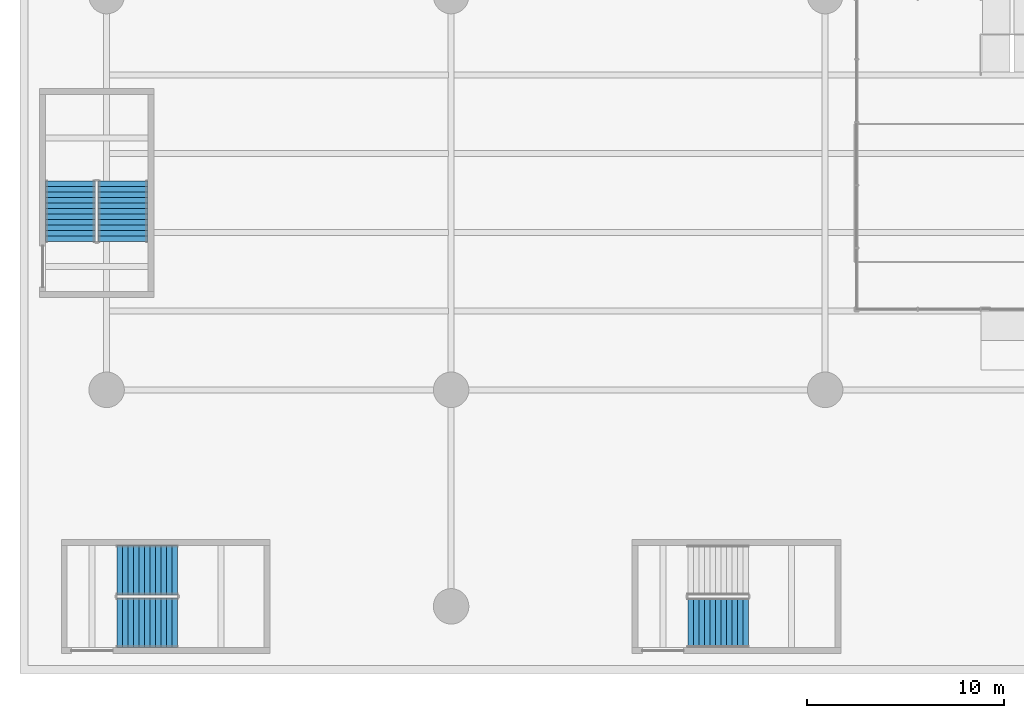
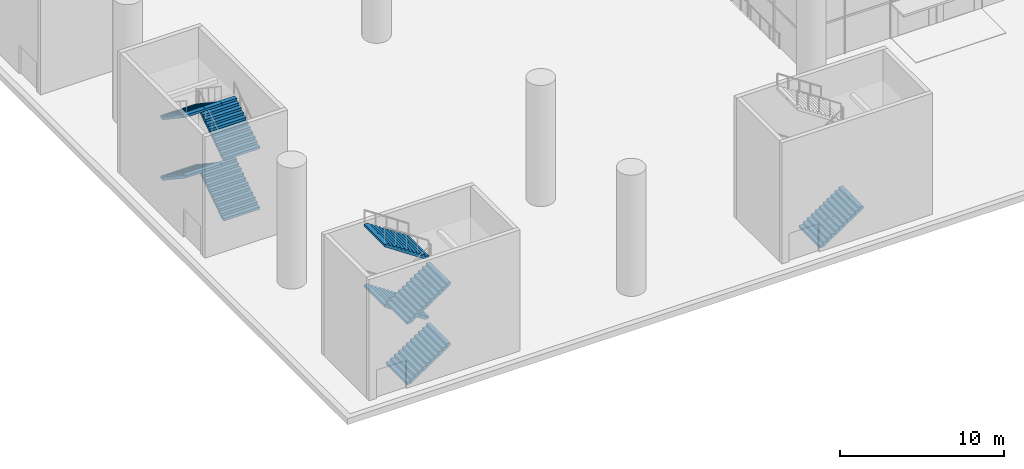
# One storey, part 21 of 37: 9 stair flights, 3 elements without a shape of their own.
"""IFC4 building model written with IfcOpenShell, lengths in metres."""

from ifc_helpers import new_model, si_unit, direction, frame, origin, place, context, subcontext, project, spatial, polyline, outline, extrude, material, type_object, element, aggregate, save


model = new_model("IFC4")

# Units and contexts
model_context = context("Model", 3, precision=1e-05, world=origin(), true_north=direction((0.0, 1.0)))
body_context = subcontext(model_context, "Body", "Model", "MODEL_VIEW")
ifc_project = project(units=[si_unit("LENGTHUNIT", "METRE"), si_unit("AREAUNIT", "SQUARE_METRE"), si_unit("VOLUMEUNIT", "CUBIC_METRE"), si_unit("PLANEANGLEUNIT", "RADIAN"), si_unit("MASSUNIT", "GRAM", prefix="KILO")], contexts=[model_context])

# Site, building, storey
site_placement = place(None, origin())
site = spatial("IfcSite", under=ifc_project, at=site_placement, CompositionType="ELEMENT")
building_placement = place(site_placement, origin())
building = spatial("IfcBuilding", under=site, at=building_placement, Name="Tel Ilan Convention Tower", CompositionType="ELEMENT")
storey_placement = place(building_placement, origin())
storey = spatial("IfcBuildingStorey", under=building, at=storey_placement, Name="L00", CompositionType="ELEMENT", Elevation=0.0)

# Stair, stair flights
ifc_material_1 = material(Name="Concrete C40/50", Category="concrete")
stair_type = type_object("IfcStairType", Name="Pressurised Exit Stair 48 risers 188 mm", PredefinedType="HALF_TURN_STAIR", material=ifc_material_1)
stair_1_placement = place(storey_placement, origin())
stair_1 = element("IfcStair", 1, at=stair_1_placement, inside=storey, type_object=stair_type, Name="L00 Podium Exit Stair P1", PredefinedType="HALF_TURN_STAIR")
ifc_material_2 = material(Name="Precast Concrete C40/50", Category="concrete")
stair_flight_type = type_object("IfcStairFlightType", Name="Concrete Stair Flight 2525 mm 48 risers 188 mm", PredefinedType="STRAIGHT", material=ifc_material_2)
stair_flight_1_placement = place(storey_placement, frame((-45.47509765625, -79.83740234375, 0.0), z_axis=(0.0, 0.0, 1.0), x_axis=(1.0, 0.0, 0.0)))
stair_flight_1 = element("IfcStairFlight", 2, at=stair_flight_1_placement, type_object=stair_flight_type, Name="P1 flight 1", NumberOfRisers=12, NumberOfTreads=11, PredefinedType="STRAIGHT", RiserHeight=0.1875, TreadLength=0.28, context=body_context, shape_type="SweptSolid", body=[
    extrude(outline(polyline([(0.0, 0.0), (0.0, 0.1875), (0.280029296875, 0.1875), (0.280029296875, 0.375), (0.56005859375, 0.375), (0.56005859375, 0.5625), (0.840087890625, 0.5625), (0.840087890625, 0.75), (1.1201171875, 0.75), (1.1201171875, 0.9375), (1.39990234375, 0.9375), (1.39990234375, 1.125), (1.679931640625, 1.125), (1.679931640625, 1.3125), (1.9599609375, 1.3125), (1.9599609375, 1.5), (2.239990234375, 1.5), (2.239990234375, 1.6875), (2.52001953125, 1.6875), (2.52001953125, 1.875), (2.800048828125, 1.875), (2.800048828125, 2.0625), (3.080078125, 2.0625), (3.080078125, 2.25), (3.080078125, 1.882080078125), (0.26953125, 0.0), (0.0, 0.0)])), frame((0.0, -0.100341796875, 0.0), z_axis=(0.0, -1.0, 0.0), x_axis=(1.0, 0.0, 0.0)), (0.0, 0.0, 1.0), 1.162109375),
    extrude(outline(polyline([(0.0, 0.0), (0.0, 0.1875), (0.280029296875, 0.1875), (0.280029296875, 0.375), (0.56005859375, 0.375), (0.56005859375, 0.5625), (0.840087890625, 0.5625), (0.840087890625, 0.75), (1.1201171875, 0.75), (1.1201171875, 0.9375), (1.39990234375, 0.9375), (1.39990234375, 1.125), (1.679931640625, 1.125), (1.679931640625, 1.3125), (1.9599609375, 1.3125), (1.9599609375, 1.5), (2.239990234375, 1.5), (2.239990234375, 1.6875), (2.52001953125, 1.6875), (2.52001953125, 1.875), (2.800048828125, 1.875), (2.800048828125, 2.0625), (3.080078125, 2.0625), (3.080078125, 2.25), (3.080078125, 1.882080078125), (0.26953125, 0.0), (0.0, 0.0)])), frame((0.0, -0.000244140625, 0.0), z_axis=(0.0, -1.0, 0.0), x_axis=(1.0, 0.0, 0.0)), (0.0, 0.0, 1.0), 0.099609375),
    extrude(outline(polyline([(0.0, 0.0), (0.0, 0.1875), (0.280029296875, 0.1875), (0.280029296875, 0.375), (0.56005859375, 0.375), (0.56005859375, 0.5625), (0.840087890625, 0.5625), (0.840087890625, 0.75), (1.1201171875, 0.75), (1.1201171875, 0.9375), (1.39990234375, 0.9375), (1.39990234375, 1.125), (1.679931640625, 1.125), (1.679931640625, 1.3125), (1.9599609375, 1.3125), (1.9599609375, 1.5), (2.239990234375, 1.5), (2.239990234375, 1.6875), (2.52001953125, 1.6875), (2.52001953125, 1.875), (2.800048828125, 1.875), (2.800048828125, 2.0625), (3.080078125, 2.0625), (3.080078125, 2.25), (3.080078125, 1.882080078125), (0.26953125, 0.0), (0.0, 0.0)])), frame((0.0, 0.099853515625, 0.0), z_axis=(0.0, -1.0, 0.0), x_axis=(1.0, 0.0, 0.0)), (0.0, 0.0, 1.0), 0.099609375),
    extrude(outline(polyline([(0.0, 0.0), (0.0, 0.1875), (0.280029296875, 0.1875), (0.280029296875, 0.375), (0.56005859375, 0.375), (0.56005859375, 0.5625), (0.840087890625, 0.5625), (0.840087890625, 0.75), (1.1201171875, 0.75), (1.1201171875, 0.9375), (1.39990234375, 0.9375), (1.39990234375, 1.125), (1.679931640625, 1.125), (1.679931640625, 1.3125), (1.9599609375, 1.3125), (1.9599609375, 1.5), (2.239990234375, 1.5), (2.239990234375, 1.6875), (2.52001953125, 1.6875), (2.52001953125, 1.875), (2.800048828125, 1.875), (2.800048828125, 2.0625), (3.080078125, 2.0625), (3.080078125, 2.25), (3.080078125, 1.882080078125), (0.26953125, 0.0), (0.0, 0.0)])), frame((0.0, 1.262451171875, 0.0), z_axis=(0.0, -1.0, 0.0), x_axis=(1.0, 0.0, 0.0)), (0.0, 0.0, 1.0), 1.162109375),
])
stair_flight_2_placement = place(storey_placement, frame((-42.39501953125, -77.16259765625, 2.25), z_axis=(0.0, 0.0, 1.0), x_axis=(-1.0, 0.0, 0.0)))
stair_flight_2 = element("IfcStairFlight", 3, at=stair_flight_2_placement, type_object=stair_flight_type, Name="P1 flight 2", NumberOfRisers=12, NumberOfTreads=11, PredefinedType="STRAIGHT", RiserHeight=0.1875, TreadLength=0.28, context=body_context, shape_type="SweptSolid", body=[
    extrude(outline(polyline([(0.0, 0.0), (0.0, 0.1875), (0.280029296875, 0.1875), (0.280029296875, 0.375), (0.56005859375, 0.375), (0.56005859375, 0.5625), (0.840087890625, 0.5625), (0.840087890625, 0.75), (1.1201171875, 0.75), (1.1201171875, 0.9375), (1.39990234375, 0.9375), (1.39990234375, 1.125), (1.679931640625, 1.125), (1.679931640625, 1.3125), (1.9599609375, 1.3125), (1.9599609375, 1.5), (2.239990234375, 1.5), (2.239990234375, 1.6875), (2.52001953125, 1.6875), (2.52001953125, 1.875), (2.800048828125, 1.875), (2.800048828125, 2.0625), (3.080078125, 2.0625), (3.080078125, 2.25), (3.080078125, 1.882080078125), (0.26953125, 0.0), (0.0, 0.0)])), frame((0.0, -0.100341796875, 0.0), z_axis=(0.0, -1.0, 0.0), x_axis=(1.0, 0.0, 0.0)), (0.0, 0.0, 1.0), 1.162109375),
    extrude(outline(polyline([(0.0, 0.0), (0.0, 0.1875), (0.280029296875, 0.1875), (0.280029296875, 0.375), (0.56005859375, 0.375), (0.56005859375, 0.5625), (0.840087890625, 0.5625), (0.840087890625, 0.75), (1.1201171875, 0.75), (1.1201171875, 0.9375), (1.39990234375, 0.9375), (1.39990234375, 1.125), (1.679931640625, 1.125), (1.679931640625, 1.3125), (1.9599609375, 1.3125), (1.9599609375, 1.5), (2.239990234375, 1.5), (2.239990234375, 1.6875), (2.52001953125, 1.6875), (2.52001953125, 1.875), (2.800048828125, 1.875), (2.800048828125, 2.0625), (3.080078125, 2.0625), (3.080078125, 2.25), (3.080078125, 1.882080078125), (0.26953125, 0.0), (0.0, 0.0)])), frame((0.0, -0.000244140625, 0.0), z_axis=(0.0, -1.0, 0.0), x_axis=(1.0, 0.0, 0.0)), (0.0, 0.0, 1.0), 0.099609375),
    extrude(outline(polyline([(0.0, 0.0), (0.0, 0.1875), (0.280029296875, 0.1875), (0.280029296875, 0.375), (0.56005859375, 0.375), (0.56005859375, 0.5625), (0.840087890625, 0.5625), (0.840087890625, 0.75), (1.1201171875, 0.75), (1.1201171875, 0.9375), (1.39990234375, 0.9375), (1.39990234375, 1.125), (1.679931640625, 1.125), (1.679931640625, 1.3125), (1.9599609375, 1.3125), (1.9599609375, 1.5), (2.239990234375, 1.5), (2.239990234375, 1.6875), (2.52001953125, 1.6875), (2.52001953125, 1.875), (2.800048828125, 1.875), (2.800048828125, 2.0625), (3.080078125, 2.0625), (3.080078125, 2.25), (3.080078125, 1.882080078125), (0.26953125, 0.0), (0.0, 0.0)])), frame((0.0, 0.099853515625, 0.0), z_axis=(0.0, -1.0, 0.0), x_axis=(1.0, 0.0, 0.0)), (0.0, 0.0, 1.0), 0.099609375),
    extrude(outline(polyline([(0.0, 0.0), (0.0, 0.1875), (0.280029296875, 0.1875), (0.280029296875, 0.375), (0.56005859375, 0.375), (0.56005859375, 0.5625), (0.840087890625, 0.5625), (0.840087890625, 0.75), (1.1201171875, 0.75), (1.1201171875, 0.9375), (1.39990234375, 0.9375), (1.39990234375, 1.125), (1.679931640625, 1.125), (1.679931640625, 1.3125), (1.9599609375, 1.3125), (1.9599609375, 1.5), (2.239990234375, 1.5), (2.239990234375, 1.6875), (2.52001953125, 1.6875), (2.52001953125, 1.875), (2.800048828125, 1.875), (2.800048828125, 2.0625), (3.080078125, 2.0625), (3.080078125, 2.25), (3.080078125, 1.882080078125), (0.26953125, 0.0), (0.0, 0.0)])), frame((0.0, 1.262451171875, 0.0), z_axis=(0.0, -1.0, 0.0), x_axis=(1.0, 0.0, 0.0)), (0.0, 0.0, 1.0), 1.162109375),
])
stair_flight_3_placement = place(storey_placement, frame((-45.47509765625, -79.83740234375, 4.5), z_axis=(0.0, 0.0, 1.0), x_axis=(1.0, 0.0, 0.0)))
stair_flight_3 = element("IfcStairFlight", 4, at=stair_flight_3_placement, type_object=stair_flight_type, Name="P1 flight 3", NumberOfRisers=12, NumberOfTreads=11, PredefinedType="STRAIGHT", RiserHeight=0.1875, TreadLength=0.28, context=body_context, shape_type="SweptSolid", body=[
    extrude(outline(polyline([(0.0, 0.0), (0.0, 0.1875), (0.280029296875, 0.1875), (0.280029296875, 0.375), (0.56005859375, 0.375), (0.56005859375, 0.5625), (0.840087890625, 0.5625), (0.840087890625, 0.75), (1.1201171875, 0.75), (1.1201171875, 0.9375), (1.39990234375, 0.9375), (1.39990234375, 1.125), (1.679931640625, 1.125), (1.679931640625, 1.3125), (1.9599609375, 1.3125), (1.9599609375, 1.5), (2.239990234375, 1.5), (2.239990234375, 1.6875), (2.52001953125, 1.6875), (2.52001953125, 1.875), (2.800048828125, 1.875), (2.800048828125, 2.0625), (3.080078125, 2.0625), (3.080078125, 2.25), (3.080078125, 1.882080078125), (0.26953125, 0.0), (0.0, 0.0)])), frame((0.0, -0.100341796875, 0.0), z_axis=(0.0, -1.0, 0.0), x_axis=(1.0, 0.0, 0.0)), (0.0, 0.0, 1.0), 1.162109375),
    extrude(outline(polyline([(0.0, 0.0), (0.0, 0.1875), (0.280029296875, 0.1875), (0.280029296875, 0.375), (0.56005859375, 0.375), (0.56005859375, 0.5625), (0.840087890625, 0.5625), (0.840087890625, 0.75), (1.1201171875, 0.75), (1.1201171875, 0.9375), (1.39990234375, 0.9375), (1.39990234375, 1.125), (1.679931640625, 1.125), (1.679931640625, 1.3125), (1.9599609375, 1.3125), (1.9599609375, 1.5), (2.239990234375, 1.5), (2.239990234375, 1.6875), (2.52001953125, 1.6875), (2.52001953125, 1.875), (2.800048828125, 1.875), (2.800048828125, 2.0625), (3.080078125, 2.0625), (3.080078125, 2.25), (3.080078125, 1.882080078125), (0.26953125, 0.0), (0.0, 0.0)])), frame((0.0, -0.000244140625, 0.0), z_axis=(0.0, -1.0, 0.0), x_axis=(1.0, 0.0, 0.0)), (0.0, 0.0, 1.0), 0.099609375),
    extrude(outline(polyline([(0.0, 0.0), (0.0, 0.1875), (0.280029296875, 0.1875), (0.280029296875, 0.375), (0.56005859375, 0.375), (0.56005859375, 0.5625), (0.840087890625, 0.5625), (0.840087890625, 0.75), (1.1201171875, 0.75), (1.1201171875, 0.9375), (1.39990234375, 0.9375), (1.39990234375, 1.125), (1.679931640625, 1.125), (1.679931640625, 1.3125), (1.9599609375, 1.3125), (1.9599609375, 1.5), (2.239990234375, 1.5), (2.239990234375, 1.6875), (2.52001953125, 1.6875), (2.52001953125, 1.875), (2.800048828125, 1.875), (2.800048828125, 2.0625), (3.080078125, 2.0625), (3.080078125, 2.25), (3.080078125, 1.882080078125), (0.26953125, 0.0), (0.0, 0.0)])), frame((0.0, 0.099853515625, 0.0), z_axis=(0.0, -1.0, 0.0), x_axis=(1.0, 0.0, 0.0)), (0.0, 0.0, 1.0), 0.099609375),
    extrude(outline(polyline([(0.0, 0.0), (0.0, 0.1875), (0.280029296875, 0.1875), (0.280029296875, 0.375), (0.56005859375, 0.375), (0.56005859375, 0.5625), (0.840087890625, 0.5625), (0.840087890625, 0.75), (1.1201171875, 0.75), (1.1201171875, 0.9375), (1.39990234375, 0.9375), (1.39990234375, 1.125), (1.679931640625, 1.125), (1.679931640625, 1.3125), (1.9599609375, 1.3125), (1.9599609375, 1.5), (2.239990234375, 1.5), (2.239990234375, 1.6875), (2.52001953125, 1.6875), (2.52001953125, 1.875), (2.800048828125, 1.875), (2.800048828125, 2.0625), (3.080078125, 2.0625), (3.080078125, 2.25), (3.080078125, 1.882080078125), (0.26953125, 0.0), (0.0, 0.0)])), frame((0.0, 1.262451171875, 0.0), z_axis=(0.0, -1.0, 0.0), x_axis=(1.0, 0.0, 0.0)), (0.0, 0.0, 1.0), 1.162109375),
])
stair_flight_4_placement = place(storey_placement, frame((-42.39501953125, -77.16259765625, 6.75), z_axis=(0.0, 0.0, 1.0), x_axis=(-1.0, 0.0, 0.0)))
stair_flight_4 = element("IfcStairFlight", 5, at=stair_flight_4_placement, type_object=stair_flight_type, Name="P1 flight 4", NumberOfRisers=12, NumberOfTreads=11, PredefinedType="STRAIGHT", RiserHeight=0.1875, TreadLength=0.28, context=body_context, shape_type="SweptSolid", body=[
    extrude(outline(polyline([(0.0, 0.0), (0.0, 0.1875), (0.280029296875, 0.1875), (0.280029296875, 0.375), (0.56005859375, 0.375), (0.56005859375, 0.5625), (0.840087890625, 0.5625), (0.840087890625, 0.75), (1.1201171875, 0.75), (1.1201171875, 0.9375), (1.39990234375, 0.9375), (1.39990234375, 1.125), (1.679931640625, 1.125), (1.679931640625, 1.3125), (1.9599609375, 1.3125), (1.9599609375, 1.5), (2.239990234375, 1.5), (2.239990234375, 1.6875), (2.52001953125, 1.6875), (2.52001953125, 1.875), (2.800048828125, 1.875), (2.800048828125, 2.0625), (3.080078125, 2.0625), (3.080078125, 2.25), (3.080078125, 1.882080078125), (0.26953125, 0.0), (0.0, 0.0)])), frame((0.0, -0.100341796875, 0.0), z_axis=(0.0, -1.0, 0.0), x_axis=(1.0, 0.0, 0.0)), (0.0, 0.0, 1.0), 1.162109375),
    extrude(outline(polyline([(0.0, 0.0), (0.0, 0.1875), (0.280029296875, 0.1875), (0.280029296875, 0.375), (0.56005859375, 0.375), (0.56005859375, 0.5625), (0.840087890625, 0.5625), (0.840087890625, 0.75), (1.1201171875, 0.75), (1.1201171875, 0.9375), (1.39990234375, 0.9375), (1.39990234375, 1.125), (1.679931640625, 1.125), (1.679931640625, 1.3125), (1.9599609375, 1.3125), (1.9599609375, 1.5), (2.239990234375, 1.5), (2.239990234375, 1.6875), (2.52001953125, 1.6875), (2.52001953125, 1.875), (2.800048828125, 1.875), (2.800048828125, 2.0625), (3.080078125, 2.0625), (3.080078125, 2.25), (3.080078125, 1.882080078125), (0.26953125, 0.0), (0.0, 0.0)])), frame((0.0, -0.000244140625, 0.0), z_axis=(0.0, -1.0, 0.0), x_axis=(1.0, 0.0, 0.0)), (0.0, 0.0, 1.0), 0.099609375),
    extrude(outline(polyline([(0.0, 0.0), (0.0, 0.1875), (0.280029296875, 0.1875), (0.280029296875, 0.375), (0.56005859375, 0.375), (0.56005859375, 0.5625), (0.840087890625, 0.5625), (0.840087890625, 0.75), (1.1201171875, 0.75), (1.1201171875, 0.9375), (1.39990234375, 0.9375), (1.39990234375, 1.125), (1.679931640625, 1.125), (1.679931640625, 1.3125), (1.9599609375, 1.3125), (1.9599609375, 1.5), (2.239990234375, 1.5), (2.239990234375, 1.6875), (2.52001953125, 1.6875), (2.52001953125, 1.875), (2.800048828125, 1.875), (2.800048828125, 2.0625), (3.080078125, 2.0625), (3.080078125, 2.25), (3.080078125, 1.882080078125), (0.26953125, 0.0), (0.0, 0.0)])), frame((0.0, 0.099853515625, 0.0), z_axis=(0.0, -1.0, 0.0), x_axis=(1.0, 0.0, 0.0)), (0.0, 0.0, 1.0), 0.099609375),
    extrude(outline(polyline([(0.0, 0.0), (0.0, 0.1875), (0.280029296875, 0.1875), (0.280029296875, 0.375), (0.56005859375, 0.375), (0.56005859375, 0.5625), (0.840087890625, 0.5625), (0.840087890625, 0.75), (1.1201171875, 0.75), (1.1201171875, 0.9375), (1.39990234375, 0.9375), (1.39990234375, 1.125), (1.679931640625, 1.125), (1.679931640625, 1.3125), (1.9599609375, 1.3125), (1.9599609375, 1.5), (2.239990234375, 1.5), (2.239990234375, 1.6875), (2.52001953125, 1.6875), (2.52001953125, 1.875), (2.800048828125, 1.875), (2.800048828125, 2.0625), (3.080078125, 2.0625), (3.080078125, 2.25), (3.080078125, 1.882080078125), (0.26953125, 0.0), (0.0, 0.0)])), frame((0.0, 1.262451171875, 0.0), z_axis=(0.0, -1.0, 0.0), x_axis=(1.0, 0.0, 0.0)), (0.0, 0.0, 1.0), 1.162109375),
])
aggregate(stair_1, [stair_flight_1, stair_flight_2, stair_flight_3, stair_flight_4])

# Stair, stair flight
stair_2_placement = place(storey_placement, origin())
stair_2 = element("IfcStair", 6, at=stair_2_placement, inside=storey, type_object=stair_type, Name="L00 Podium Exit Stair P2", PredefinedType="HALF_TURN_STAIR")
stair_flight_5_placement = place(storey_placement, frame((-16.47509765625, -79.83740234375, 0.0), z_axis=(0.0, 0.0, 1.0), x_axis=(1.0, 0.0, 0.0)))
stair_flight_5 = element("IfcStairFlight", 7, at=stair_flight_5_placement, type_object=stair_flight_type, Name="P2 flight 1", NumberOfRisers=12, NumberOfTreads=11, PredefinedType="STRAIGHT", RiserHeight=0.1875, TreadLength=0.28, context=body_context, shape_type="SweptSolid", body=[
    extrude(outline(polyline([(0.0, 0.0), (0.0, 0.1875), (0.280029296875, 0.1875), (0.280029296875, 0.375), (0.56005859375, 0.375), (0.56005859375, 0.5625), (0.840087890625, 0.5625), (0.840087890625, 0.75), (1.1201171875, 0.75), (1.1201171875, 0.9375), (1.39990234375, 0.9375), (1.39990234375, 1.125), (1.679931640625, 1.125), (1.679931640625, 1.3125), (1.9599609375, 1.3125), (1.9599609375, 1.5), (2.239990234375, 1.5), (2.239990234375, 1.6875), (2.52001953125, 1.6875), (2.52001953125, 1.875), (2.800048828125, 1.875), (2.800048828125, 2.0625), (3.080078125, 2.0625), (3.080078125, 2.25), (3.080078125, 1.882080078125), (0.26953125, 0.0), (0.0, 0.0)])), frame((0.0, -0.100341796875, 0.0), z_axis=(0.0, -1.0, 0.0), x_axis=(1.0, 0.0, 0.0)), (0.0, 0.0, 1.0), 1.162109375),
    extrude(outline(polyline([(0.0, 0.0), (0.0, 0.1875), (0.280029296875, 0.1875), (0.280029296875, 0.375), (0.56005859375, 0.375), (0.56005859375, 0.5625), (0.840087890625, 0.5625), (0.840087890625, 0.75), (1.1201171875, 0.75), (1.1201171875, 0.9375), (1.39990234375, 0.9375), (1.39990234375, 1.125), (1.679931640625, 1.125), (1.679931640625, 1.3125), (1.9599609375, 1.3125), (1.9599609375, 1.5), (2.239990234375, 1.5), (2.239990234375, 1.6875), (2.52001953125, 1.6875), (2.52001953125, 1.875), (2.800048828125, 1.875), (2.800048828125, 2.0625), (3.080078125, 2.0625), (3.080078125, 2.25), (3.080078125, 1.882080078125), (0.26953125, 0.0), (0.0, 0.0)])), frame((0.0, -0.000244140625, 0.0), z_axis=(0.0, -1.0, 0.0), x_axis=(1.0, 0.0, 0.0)), (0.0, 0.0, 1.0), 0.099609375),
    extrude(outline(polyline([(0.0, 0.0), (0.0, 0.1875), (0.280029296875, 0.1875), (0.280029296875, 0.375), (0.56005859375, 0.375), (0.56005859375, 0.5625), (0.840087890625, 0.5625), (0.840087890625, 0.75), (1.1201171875, 0.75), (1.1201171875, 0.9375), (1.39990234375, 0.9375), (1.39990234375, 1.125), (1.679931640625, 1.125), (1.679931640625, 1.3125), (1.9599609375, 1.3125), (1.9599609375, 1.5), (2.239990234375, 1.5), (2.239990234375, 1.6875), (2.52001953125, 1.6875), (2.52001953125, 1.875), (2.800048828125, 1.875), (2.800048828125, 2.0625), (3.080078125, 2.0625), (3.080078125, 2.25), (3.080078125, 1.882080078125), (0.26953125, 0.0), (0.0, 0.0)])), frame((0.0, 0.099853515625, 0.0), z_axis=(0.0, -1.0, 0.0), x_axis=(1.0, 0.0, 0.0)), (0.0, 0.0, 1.0), 0.099609375),
    extrude(outline(polyline([(0.0, 0.0), (0.0, 0.1875), (0.280029296875, 0.1875), (0.280029296875, 0.375), (0.56005859375, 0.375), (0.56005859375, 0.5625), (0.840087890625, 0.5625), (0.840087890625, 0.75), (1.1201171875, 0.75), (1.1201171875, 0.9375), (1.39990234375, 0.9375), (1.39990234375, 1.125), (1.679931640625, 1.125), (1.679931640625, 1.3125), (1.9599609375, 1.3125), (1.9599609375, 1.5), (2.239990234375, 1.5), (2.239990234375, 1.6875), (2.52001953125, 1.6875), (2.52001953125, 1.875), (2.800048828125, 1.875), (2.800048828125, 2.0625), (3.080078125, 2.0625), (3.080078125, 2.25), (3.080078125, 1.882080078125), (0.26953125, 0.0), (0.0, 0.0)])), frame((0.0, 1.262451171875, 0.0), z_axis=(0.0, -1.0, 0.0), x_axis=(1.0, 0.0, 0.0)), (0.0, 0.0, 1.0), 1.162109375),
])
aggregate(stair_2, [stair_flight_5])

# Stair, stair flights
stair_3_placement = place(storey_placement, origin())
stair_3 = element("IfcStair", 8, at=stair_3_placement, inside=storey, type_object=stair_type, Name="L00 Podium Exit Stair P5", PredefinedType="HALF_TURN_STAIR")
stair_flight_6_placement = place(storey_placement, frame((-45.16259765625, -60.47509765625, 0.0), z_axis=(0.0, 0.0, 1.0), x_axis=(0.0, 1.0, 0.0)))
stair_flight_6 = element("IfcStairFlight", 9, at=stair_flight_6_placement, type_object=stair_flight_type, Name="P5 flight 1", NumberOfRisers=12, NumberOfTreads=11, PredefinedType="STRAIGHT", RiserHeight=0.1875, TreadLength=0.28, context=body_context, shape_type="SweptSolid", body=[
    extrude(outline(polyline([(0.0, 0.0), (0.0, 0.1875), (0.280029296875, 0.1875), (0.280029296875, 0.375), (0.56005859375, 0.375), (0.56005859375, 0.5625), (0.840087890625, 0.5625), (0.840087890625, 0.75), (1.1201171875, 0.75), (1.1201171875, 0.9375), (1.39990234375, 0.9375), (1.39990234375, 1.125), (1.679931640625, 1.125), (1.679931640625, 1.3125), (1.9599609375, 1.3125), (1.9599609375, 1.5), (2.239990234375, 1.5), (2.239990234375, 1.6875), (2.52001953125, 1.6875), (2.52001953125, 1.875), (2.800048828125, 1.875), (2.800048828125, 2.0625), (3.080078125, 2.0625), (3.080078125, 2.25), (3.080078125, 1.882080078125), (0.26953125, 0.0), (0.0, 0.0)])), frame((0.0, -0.100341796875, 0.0), z_axis=(0.0, -1.0, 0.0), x_axis=(1.0, 0.0, 0.0)), (0.0, 0.0, 1.0), 1.162109375),
    extrude(outline(polyline([(0.0, 0.0), (0.0, 0.1875), (0.280029296875, 0.1875), (0.280029296875, 0.375), (0.56005859375, 0.375), (0.56005859375, 0.5625), (0.840087890625, 0.5625), (0.840087890625, 0.75), (1.1201171875, 0.75), (1.1201171875, 0.9375), (1.39990234375, 0.9375), (1.39990234375, 1.125), (1.679931640625, 1.125), (1.679931640625, 1.3125), (1.9599609375, 1.3125), (1.9599609375, 1.5), (2.239990234375, 1.5), (2.239990234375, 1.6875), (2.52001953125, 1.6875), (2.52001953125, 1.875), (2.800048828125, 1.875), (2.800048828125, 2.0625), (3.080078125, 2.0625), (3.080078125, 2.25), (3.080078125, 1.882080078125), (0.26953125, 0.0), (0.0, 0.0)])), frame((0.0, -0.000244140625, 0.0), z_axis=(0.0, -1.0, 0.0), x_axis=(1.0, 0.0, 0.0)), (0.0, 0.0, 1.0), 0.099609375),
    extrude(outline(polyline([(0.0, 0.0), (0.0, 0.1875), (0.280029296875, 0.1875), (0.280029296875, 0.375), (0.56005859375, 0.375), (0.56005859375, 0.5625), (0.840087890625, 0.5625), (0.840087890625, 0.75), (1.1201171875, 0.75), (1.1201171875, 0.9375), (1.39990234375, 0.9375), (1.39990234375, 1.125), (1.679931640625, 1.125), (1.679931640625, 1.3125), (1.9599609375, 1.3125), (1.9599609375, 1.5), (2.239990234375, 1.5), (2.239990234375, 1.6875), (2.52001953125, 1.6875), (2.52001953125, 1.875), (2.800048828125, 1.875), (2.800048828125, 2.0625), (3.080078125, 2.0625), (3.080078125, 2.25), (3.080078125, 1.882080078125), (0.26953125, 0.0), (0.0, 0.0)])), frame((0.0, 0.099853515625, 0.0), z_axis=(0.0, -1.0, 0.0), x_axis=(1.0, 0.0, 0.0)), (0.0, 0.0, 1.0), 0.099609375),
    extrude(outline(polyline([(0.0, 0.0), (0.0, 0.1875), (0.280029296875, 0.1875), (0.280029296875, 0.375), (0.56005859375, 0.375), (0.56005859375, 0.5625), (0.840087890625, 0.5625), (0.840087890625, 0.75), (1.1201171875, 0.75), (1.1201171875, 0.9375), (1.39990234375, 0.9375), (1.39990234375, 1.125), (1.679931640625, 1.125), (1.679931640625, 1.3125), (1.9599609375, 1.3125), (1.9599609375, 1.5), (2.239990234375, 1.5), (2.239990234375, 1.6875), (2.52001953125, 1.6875), (2.52001953125, 1.875), (2.800048828125, 1.875), (2.800048828125, 2.0625), (3.080078125, 2.0625), (3.080078125, 2.25), (3.080078125, 1.882080078125), (0.26953125, 0.0), (0.0, 0.0)])), frame((0.0, 1.262451171875, 0.0), z_axis=(0.0, -1.0, 0.0), x_axis=(1.0, 0.0, 0.0)), (0.0, 0.0, 1.0), 1.162109375),
])
stair_flight_7_placement = place(storey_placement, frame((-47.83740234375, -57.39501953125, 2.25), z_axis=(0.0, 0.0, 1.0), x_axis=(0.0, -1.0, 0.0)))
stair_flight_7 = element("IfcStairFlight", 10, at=stair_flight_7_placement, type_object=stair_flight_type, Name="P5 flight 2", NumberOfRisers=12, NumberOfTreads=11, PredefinedType="STRAIGHT", RiserHeight=0.1875, TreadLength=0.28, context=body_context, shape_type="SweptSolid", body=[
    extrude(outline(polyline([(0.0, 0.0), (0.0, 0.1875), (0.280029296875, 0.1875), (0.280029296875, 0.375), (0.56005859375, 0.375), (0.56005859375, 0.5625), (0.840087890625, 0.5625), (0.840087890625, 0.75), (1.1201171875, 0.75), (1.1201171875, 0.9375), (1.39990234375, 0.9375), (1.39990234375, 1.125), (1.679931640625, 1.125), (1.679931640625, 1.3125), (1.9599609375, 1.3125), (1.9599609375, 1.5), (2.239990234375, 1.5), (2.239990234375, 1.6875), (2.52001953125, 1.6875), (2.52001953125, 1.875), (2.800048828125, 1.875), (2.800048828125, 2.0625), (3.080078125, 2.0625), (3.080078125, 2.25), (3.080078125, 1.882080078125), (0.26953125, 0.0), (0.0, 0.0)])), frame((0.0, -0.100341796875, 0.0), z_axis=(0.0, -1.0, 0.0), x_axis=(1.0, 0.0, 0.0)), (0.0, 0.0, 1.0), 1.162109375),
    extrude(outline(polyline([(0.0, 0.0), (0.0, 0.1875), (0.280029296875, 0.1875), (0.280029296875, 0.375), (0.56005859375, 0.375), (0.56005859375, 0.5625), (0.840087890625, 0.5625), (0.840087890625, 0.75), (1.1201171875, 0.75), (1.1201171875, 0.9375), (1.39990234375, 0.9375), (1.39990234375, 1.125), (1.679931640625, 1.125), (1.679931640625, 1.3125), (1.9599609375, 1.3125), (1.9599609375, 1.5), (2.239990234375, 1.5), (2.239990234375, 1.6875), (2.52001953125, 1.6875), (2.52001953125, 1.875), (2.800048828125, 1.875), (2.800048828125, 2.0625), (3.080078125, 2.0625), (3.080078125, 2.25), (3.080078125, 1.882080078125), (0.26953125, 0.0), (0.0, 0.0)])), frame((0.0, -0.000244140625, 0.0), z_axis=(0.0, -1.0, 0.0), x_axis=(1.0, 0.0, 0.0)), (0.0, 0.0, 1.0), 0.099609375),
    extrude(outline(polyline([(0.0, 0.0), (0.0, 0.1875), (0.280029296875, 0.1875), (0.280029296875, 0.375), (0.56005859375, 0.375), (0.56005859375, 0.5625), (0.840087890625, 0.5625), (0.840087890625, 0.75), (1.1201171875, 0.75), (1.1201171875, 0.9375), (1.39990234375, 0.9375), (1.39990234375, 1.125), (1.679931640625, 1.125), (1.679931640625, 1.3125), (1.9599609375, 1.3125), (1.9599609375, 1.5), (2.239990234375, 1.5), (2.239990234375, 1.6875), (2.52001953125, 1.6875), (2.52001953125, 1.875), (2.800048828125, 1.875), (2.800048828125, 2.0625), (3.080078125, 2.0625), (3.080078125, 2.25), (3.080078125, 1.882080078125), (0.26953125, 0.0), (0.0, 0.0)])), frame((0.0, 0.099853515625, 0.0), z_axis=(0.0, -1.0, 0.0), x_axis=(1.0, 0.0, 0.0)), (0.0, 0.0, 1.0), 0.099609375),
    extrude(outline(polyline([(0.0, 0.0), (0.0, 0.1875), (0.280029296875, 0.1875), (0.280029296875, 0.375), (0.56005859375, 0.375), (0.56005859375, 0.5625), (0.840087890625, 0.5625), (0.840087890625, 0.75), (1.1201171875, 0.75), (1.1201171875, 0.9375), (1.39990234375, 0.9375), (1.39990234375, 1.125), (1.679931640625, 1.125), (1.679931640625, 1.3125), (1.9599609375, 1.3125), (1.9599609375, 1.5), (2.239990234375, 1.5), (2.239990234375, 1.6875), (2.52001953125, 1.6875), (2.52001953125, 1.875), (2.800048828125, 1.875), (2.800048828125, 2.0625), (3.080078125, 2.0625), (3.080078125, 2.25), (3.080078125, 1.882080078125), (0.26953125, 0.0), (0.0, 0.0)])), frame((0.0, 1.262451171875, 0.0), z_axis=(0.0, -1.0, 0.0), x_axis=(1.0, 0.0, 0.0)), (0.0, 0.0, 1.0), 1.162109375),
])
stair_flight_8_placement = place(storey_placement, frame((-45.16259765625, -60.47509765625, 4.5), z_axis=(0.0, 0.0, 1.0), x_axis=(0.0, 1.0, 0.0)))
stair_flight_8 = element("IfcStairFlight", 11, at=stair_flight_8_placement, type_object=stair_flight_type, Name="P5 flight 3", NumberOfRisers=12, NumberOfTreads=11, PredefinedType="STRAIGHT", RiserHeight=0.1875, TreadLength=0.28, context=body_context, shape_type="SweptSolid", body=[
    extrude(outline(polyline([(0.0, 0.0), (0.0, 0.1875), (0.280029296875, 0.1875), (0.280029296875, 0.375), (0.56005859375, 0.375), (0.56005859375, 0.5625), (0.840087890625, 0.5625), (0.840087890625, 0.75), (1.1201171875, 0.75), (1.1201171875, 0.9375), (1.39990234375, 0.9375), (1.39990234375, 1.125), (1.679931640625, 1.125), (1.679931640625, 1.3125), (1.9599609375, 1.3125), (1.9599609375, 1.5), (2.239990234375, 1.5), (2.239990234375, 1.6875), (2.52001953125, 1.6875), (2.52001953125, 1.875), (2.800048828125, 1.875), (2.800048828125, 2.0625), (3.080078125, 2.0625), (3.080078125, 2.25), (3.080078125, 1.882080078125), (0.26953125, 0.0), (0.0, 0.0)])), frame((0.0, -0.100341796875, 0.0), z_axis=(0.0, -1.0, 0.0), x_axis=(1.0, 0.0, 0.0)), (0.0, 0.0, 1.0), 1.162109375),
    extrude(outline(polyline([(0.0, 0.0), (0.0, 0.1875), (0.280029296875, 0.1875), (0.280029296875, 0.375), (0.56005859375, 0.375), (0.56005859375, 0.5625), (0.840087890625, 0.5625), (0.840087890625, 0.75), (1.1201171875, 0.75), (1.1201171875, 0.9375), (1.39990234375, 0.9375), (1.39990234375, 1.125), (1.679931640625, 1.125), (1.679931640625, 1.3125), (1.9599609375, 1.3125), (1.9599609375, 1.5), (2.239990234375, 1.5), (2.239990234375, 1.6875), (2.52001953125, 1.6875), (2.52001953125, 1.875), (2.800048828125, 1.875), (2.800048828125, 2.0625), (3.080078125, 2.0625), (3.080078125, 2.25), (3.080078125, 1.882080078125), (0.26953125, 0.0), (0.0, 0.0)])), frame((0.0, -0.000244140625, 0.0), z_axis=(0.0, -1.0, 0.0), x_axis=(1.0, 0.0, 0.0)), (0.0, 0.0, 1.0), 0.099609375),
    extrude(outline(polyline([(0.0, 0.0), (0.0, 0.1875), (0.280029296875, 0.1875), (0.280029296875, 0.375), (0.56005859375, 0.375), (0.56005859375, 0.5625), (0.840087890625, 0.5625), (0.840087890625, 0.75), (1.1201171875, 0.75), (1.1201171875, 0.9375), (1.39990234375, 0.9375), (1.39990234375, 1.125), (1.679931640625, 1.125), (1.679931640625, 1.3125), (1.9599609375, 1.3125), (1.9599609375, 1.5), (2.239990234375, 1.5), (2.239990234375, 1.6875), (2.52001953125, 1.6875), (2.52001953125, 1.875), (2.800048828125, 1.875), (2.800048828125, 2.0625), (3.080078125, 2.0625), (3.080078125, 2.25), (3.080078125, 1.882080078125), (0.26953125, 0.0), (0.0, 0.0)])), frame((0.0, 0.099853515625, 0.0), z_axis=(0.0, -1.0, 0.0), x_axis=(1.0, 0.0, 0.0)), (0.0, 0.0, 1.0), 0.099609375),
    extrude(outline(polyline([(0.0, 0.0), (0.0, 0.1875), (0.280029296875, 0.1875), (0.280029296875, 0.375), (0.56005859375, 0.375), (0.56005859375, 0.5625), (0.840087890625, 0.5625), (0.840087890625, 0.75), (1.1201171875, 0.75), (1.1201171875, 0.9375), (1.39990234375, 0.9375), (1.39990234375, 1.125), (1.679931640625, 1.125), (1.679931640625, 1.3125), (1.9599609375, 1.3125), (1.9599609375, 1.5), (2.239990234375, 1.5), (2.239990234375, 1.6875), (2.52001953125, 1.6875), (2.52001953125, 1.875), (2.800048828125, 1.875), (2.800048828125, 2.0625), (3.080078125, 2.0625), (3.080078125, 2.25), (3.080078125, 1.882080078125), (0.26953125, 0.0), (0.0, 0.0)])), frame((0.0, 1.262451171875, 0.0), z_axis=(0.0, -1.0, 0.0), x_axis=(1.0, 0.0, 0.0)), (0.0, 0.0, 1.0), 1.162109375),
])
stair_flight_9_placement = place(storey_placement, frame((-47.83740234375, -57.39501953125, 6.75), z_axis=(0.0, 0.0, 1.0), x_axis=(0.0, -1.0, 0.0)))
stair_flight_9 = element("IfcStairFlight", 12, at=stair_flight_9_placement, type_object=stair_flight_type, Name="P5 flight 4", NumberOfRisers=12, NumberOfTreads=11, PredefinedType="STRAIGHT", RiserHeight=0.1875, TreadLength=0.28, context=body_context, shape_type="SweptSolid", body=[
    extrude(outline(polyline([(0.0, 0.0), (0.0, 0.1875), (0.280029296875, 0.1875), (0.280029296875, 0.375), (0.56005859375, 0.375), (0.56005859375, 0.5625), (0.840087890625, 0.5625), (0.840087890625, 0.75), (1.1201171875, 0.75), (1.1201171875, 0.9375), (1.39990234375, 0.9375), (1.39990234375, 1.125), (1.679931640625, 1.125), (1.679931640625, 1.3125), (1.9599609375, 1.3125), (1.9599609375, 1.5), (2.239990234375, 1.5), (2.239990234375, 1.6875), (2.52001953125, 1.6875), (2.52001953125, 1.875), (2.800048828125, 1.875), (2.800048828125, 2.0625), (3.080078125, 2.0625), (3.080078125, 2.25), (3.080078125, 1.882080078125), (0.26953125, 0.0), (0.0, 0.0)])), frame((0.0, -0.100341796875, 0.0), z_axis=(0.0, -1.0, 0.0), x_axis=(1.0, 0.0, 0.0)), (0.0, 0.0, 1.0), 1.162109375),
    extrude(outline(polyline([(0.0, 0.0), (0.0, 0.1875), (0.280029296875, 0.1875), (0.280029296875, 0.375), (0.56005859375, 0.375), (0.56005859375, 0.5625), (0.840087890625, 0.5625), (0.840087890625, 0.75), (1.1201171875, 0.75), (1.1201171875, 0.9375), (1.39990234375, 0.9375), (1.39990234375, 1.125), (1.679931640625, 1.125), (1.679931640625, 1.3125), (1.9599609375, 1.3125), (1.9599609375, 1.5), (2.239990234375, 1.5), (2.239990234375, 1.6875), (2.52001953125, 1.6875), (2.52001953125, 1.875), (2.800048828125, 1.875), (2.800048828125, 2.0625), (3.080078125, 2.0625), (3.080078125, 2.25), (3.080078125, 1.882080078125), (0.26953125, 0.0), (0.0, 0.0)])), frame((0.0, -0.000244140625, 0.0), z_axis=(0.0, -1.0, 0.0), x_axis=(1.0, 0.0, 0.0)), (0.0, 0.0, 1.0), 0.099609375),
    extrude(outline(polyline([(0.0, 0.0), (0.0, 0.1875), (0.280029296875, 0.1875), (0.280029296875, 0.375), (0.56005859375, 0.375), (0.56005859375, 0.5625), (0.840087890625, 0.5625), (0.840087890625, 0.75), (1.1201171875, 0.75), (1.1201171875, 0.9375), (1.39990234375, 0.9375), (1.39990234375, 1.125), (1.679931640625, 1.125), (1.679931640625, 1.3125), (1.9599609375, 1.3125), (1.9599609375, 1.5), (2.239990234375, 1.5), (2.239990234375, 1.6875), (2.52001953125, 1.6875), (2.52001953125, 1.875), (2.800048828125, 1.875), (2.800048828125, 2.0625), (3.080078125, 2.0625), (3.080078125, 2.25), (3.080078125, 1.882080078125), (0.26953125, 0.0), (0.0, 0.0)])), frame((0.0, 0.099853515625, 0.0), z_axis=(0.0, -1.0, 0.0), x_axis=(1.0, 0.0, 0.0)), (0.0, 0.0, 1.0), 0.099609375),
    extrude(outline(polyline([(0.0, 0.0), (0.0, 0.1875), (0.280029296875, 0.1875), (0.280029296875, 0.375), (0.56005859375, 0.375), (0.56005859375, 0.5625), (0.840087890625, 0.5625), (0.840087890625, 0.75), (1.1201171875, 0.75), (1.1201171875, 0.9375), (1.39990234375, 0.9375), (1.39990234375, 1.125), (1.679931640625, 1.125), (1.679931640625, 1.3125), (1.9599609375, 1.3125), (1.9599609375, 1.5), (2.239990234375, 1.5), (2.239990234375, 1.6875), (2.52001953125, 1.6875), (2.52001953125, 1.875), (2.800048828125, 1.875), (2.800048828125, 2.0625), (3.080078125, 2.0625), (3.080078125, 2.25), (3.080078125, 1.882080078125), (0.26953125, 0.0), (0.0, 0.0)])), frame((0.0, 1.262451171875, 0.0), z_axis=(0.0, -1.0, 0.0), x_axis=(1.0, 0.0, 0.0)), (0.0, 0.0, 1.0), 1.162109375),
])
aggregate(stair_3, [stair_flight_6, stair_flight_7, stair_flight_8, stair_flight_9])

save(model, "model.ifc")
